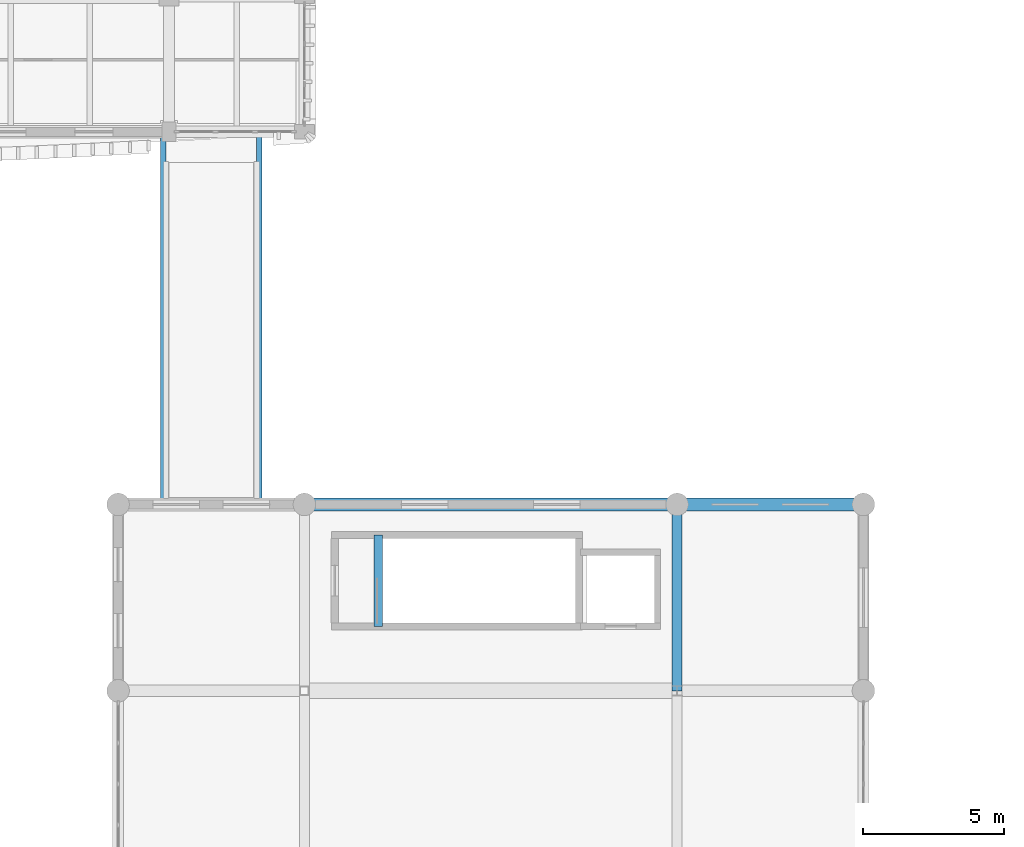
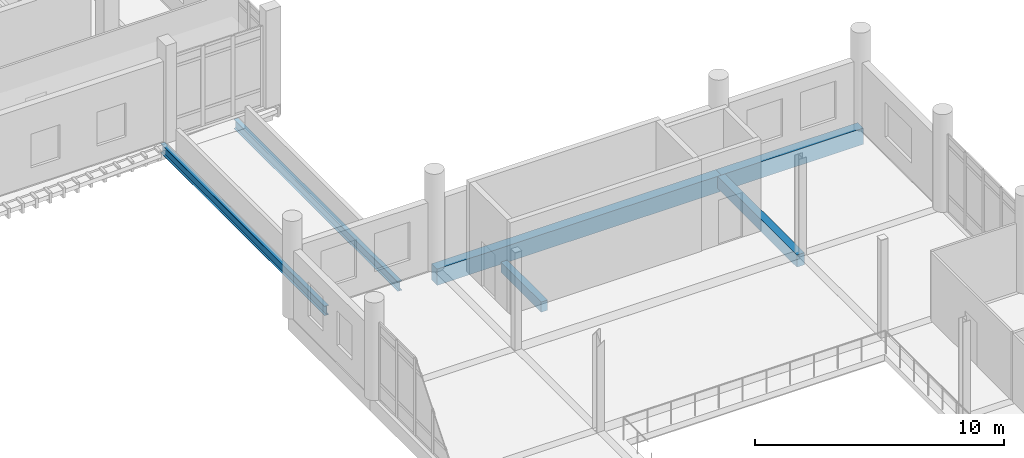
# One storey, part 14 of 76: 6 beams.
"""IFC4 building model written with IfcOpenShell, lengths in metres."""

from ifc_helpers import new_model, si_unit, direction, frame, origin, origin_2d, place, context, subcontext, project, spatial, rectangle, i_section, extrude, material, material_profile, profile_set, type_object, element, save


model = new_model("IFC4")

# Units and contexts
model_context = context("Model", 3, precision=1e-05, world=origin(), true_north=direction((0.0, 1.0)))
body_context = subcontext(model_context, "Body", "Model", "MODEL_VIEW")
ifc_project = project(units=[si_unit("LENGTHUNIT", "METRE"), si_unit("AREAUNIT", "SQUARE_METRE"), si_unit("VOLUMEUNIT", "CUBIC_METRE"), si_unit("PLANEANGLEUNIT", "RADIAN"), si_unit("MASSUNIT", "GRAM", prefix="KILO")], contexts=[model_context])

# Site, building, storey
site_placement = place(None, origin())
site = spatial("IfcSite", under=ifc_project, at=site_placement, CompositionType="ELEMENT")
building_placement = place(site_placement, origin())
building = spatial("IfcBuilding", under=site, at=building_placement, Name="Dornvale Research Institute", CompositionType="ELEMENT")
storey_placement = place(building_placement, frame((0.0, 0.0, 15.0)))
storey = spatial("IfcBuildingStorey", under=building, at=storey_placement, Name="L03", CompositionType="ELEMENT", Elevation=15.0)

# Beams
ifc_material_1 = material(Name="Concrete f'c 45 MPa (C35/45)", Category="concrete")
ifc_material_profile_1 = material_profile(ifc_material_1, rectangle(XDim=0.300048828125, YDim=0.5, at=origin_2d()), Name="RC 300x500")
ifc_profile_set_1 = profile_set([ifc_material_profile_1], Name="Concrete f'c 45 MPa (C35/45)")
beam_type_1 = type_object("IfcBeamType", Name="Beam_RC300x500_Trim", PredefinedType="BEAM", material=ifc_profile_set_1)
beam_1_placement = place(storey_placement, frame((48.820068359375, 81.47998046875, -0.25), z_axis=(0.0, 1.0, 0.0), x_axis=(-1.0, 0.0, 0.0)))
element("IfcBeam", 1, at=beam_1_placement, inside=storey, type_object=beam_type_1, Name="L03 ST-8 stair landing trimmer beam #104", PredefinedType="BEAM", context=body_context, shape_type="SweptSolid", body=[
    extrude(rectangle(XDim=0.300048828125, YDim=0.5, at=origin_2d()), origin(), (0.0, 0.0, 1.0), 3.239990234375),
])
ifc_material_2 = material(Name="Concrete f'c 45 MPa (C35/45)", Category="concrete")
ifc_material_profile_2 = material_profile(ifc_material_2, rectangle(XDim=0.35009765625, YDim=0.60009765625, at=origin_2d()), Name="RC 350x600")
ifc_profile_set_2 = profile_set([ifc_material_profile_2], Name="Concrete f'c 45 MPa (C35/45)")
beam_type_2 = type_object("IfcBeamType", Name="Beam_RC350x600_Floor", PredefinedType="BEAM", material=ifc_profile_set_2)
beam_2_placement = place(storey_placement, frame((59.39990234375, 79.199951171875, -0.300048828125), z_axis=(0.0, 1.0, 0.0), x_axis=(-1.0, 0.0, 0.0)))
element("IfcBeam", 2, at=beam_2_placement, inside=storey, type_object=beam_type_2, Name="L03 transverse girder #1106", PredefinedType="BEAM", context=body_context, shape_type="SweptSolid", body=[
    extrude(rectangle(XDim=0.35009765625, YDim=0.60009765625, at=origin_2d()), origin(), (0.0, 0.0, 1.0), 6.60009765625),
])
ifc_material_3 = material(Name="Steel ASTM A992 Grade 50", Category="steel")
ifc_material_profile_3 = material_profile(ifc_material_3, i_section(OverallWidth=0.19091796875, OverallDepth=0.4599609375, WebThickness=0.010009765625, FlangeThickness=0.01611328125, at=origin_2d()), Name="W18X55")
ifc_profile_set_3 = profile_set([ifc_material_profile_3], Name="Steel ASTM A992 Grade 50")
beam_type_3 = type_object("IfcBeamType", Name="Beam_Steel_W18X55_Canopy", PredefinedType="BEAM", material=ifc_profile_set_3)
for number, where, z_axis, x_axis, name in (
    (3, (41.199951171875, 85.800048828125, -0.409912109375), (0.0, 1.0, 0.0), (-1.0, 0.0, 0.0), "L03 BR-4 roof west beam #2025"),
    (4, (44.60009765625, 85.800048828125, -0.409912109375), (0.0, 1.0, 0.0), (-1.0, 0.0, 0.0), "L03 BR-4 roof east beam #2026"),
):
    element("IfcBeam", number, at=place(storey_placement, frame(where, z_axis=z_axis, x_axis=x_axis)), inside=storey, type_object=beam_type_3, Name=name, PredefinedType="BEAM", context=body_context, shape_type="SweptSolid", body=[
        extrude(i_section(OverallWidth=0.19091796875, OverallDepth=0.4599609375, WebThickness=0.010009765625, FlangeThickness=0.01611328125, at=origin_2d()), origin(), (0.0, 0.0, 1.0), 13.199951171875),
    ])
ifc_material_4 = material(Name="Concrete f'c 45 MPa (C35/45)", Category="concrete")
ifc_material_profile_4 = material_profile(ifc_material_4, rectangle(XDim=0.449951171875, YDim=0.800048828125, at=origin_2d()), Name="RC 450x800")
ifc_profile_set_4 = profile_set([ifc_material_profile_4], Name="Concrete f'c 45 MPa (C35/45)")
beam_type_4 = type_object("IfcBeamType", Name="Spandrel_RC450x800_Ext", PredefinedType="SPANDREL", material=ifc_profile_set_4)
beam_3_placement = place(storey_placement, frame((46.199951171875, 85.800048828125, -0.39990234375), z_axis=(1.0, 0.0, 0.0), x_axis=(0.0, 1.0, 0.0)))
element("IfcBeam", 5, at=beam_3_placement, inside=storey, type_object=beam_type_4, Name="L03 perimeter spandrel #1084", PredefinedType="SPANDREL", context=body_context, shape_type="SweptSolid", body=[
    extrude(rectangle(XDim=0.449951171875, YDim=0.800048828125, at=origin_2d()), origin(), (0.0, 0.0, 1.0), 13.199951171875),
])
beam_4_placement = place(storey_placement, frame((59.39990234375, 85.800048828125, -0.39990234375), z_axis=(1.0, 0.0, 0.0), x_axis=(0.0, 1.0, 0.0)))
element("IfcBeam", 6, at=beam_4_placement, inside=storey, type_object=beam_type_4, Name="L03 perimeter spandrel #1085", PredefinedType="SPANDREL", context=body_context, shape_type="SweptSolid", body=[
    extrude(rectangle(XDim=0.449951171875, YDim=0.800048828125, at=origin_2d()), origin(), (0.0, 0.0, 1.0), 6.60009765625),
])

save(model, "model.ifc")
